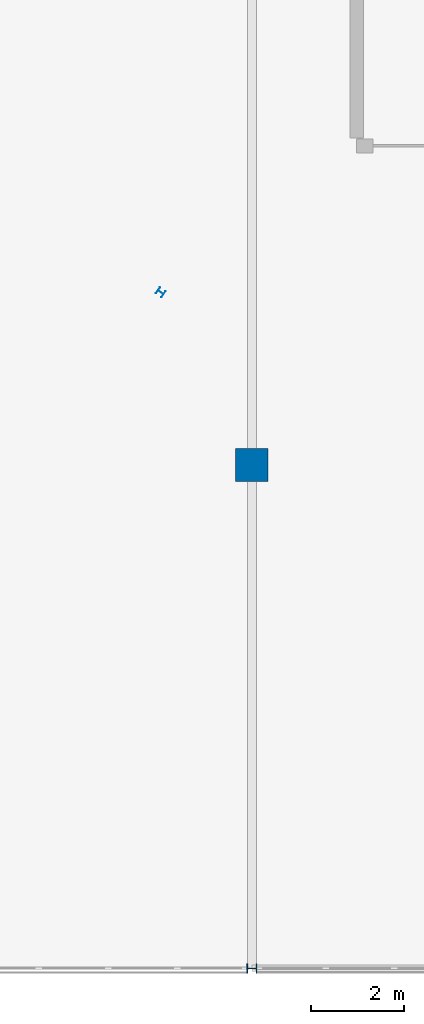
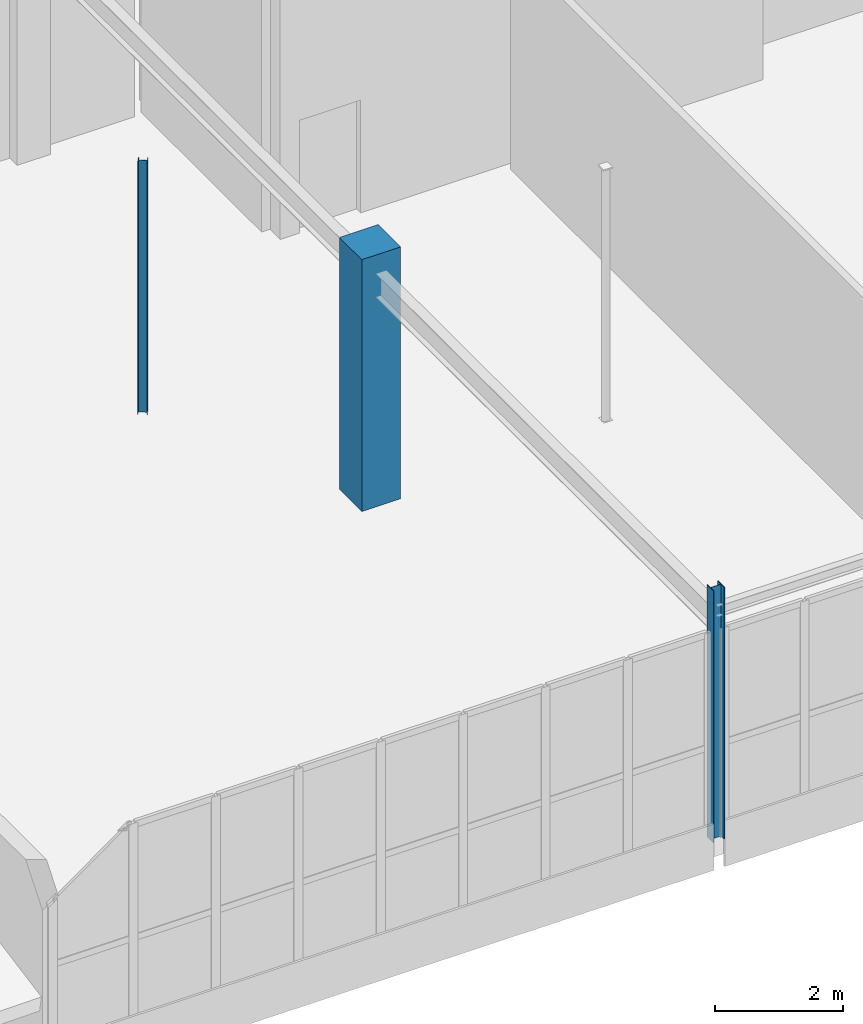
# One storey, part 1 of 226: 3 columns.
"""IFC4 building model written with IfcOpenShell, lengths in metres."""

from ifc_helpers import new_model, si_unit, direction, frame, origin, origin_2d, place, context, subcontext, project, spatial, rectangle, i_section, extrude, material, material_profile, profile_set, type_object, element, save


model = new_model("IFC4")

# Units and contexts
model_context = context("Model", 3, precision=1e-05, world=origin(), true_north=direction((0.0, 1.0)))
body_context = subcontext(model_context, "Body", "Model", "MODEL_VIEW")
ifc_project = project(units=[si_unit("LENGTHUNIT", "METRE"), si_unit("AREAUNIT", "SQUARE_METRE"), si_unit("VOLUMEUNIT", "CUBIC_METRE"), si_unit("PLANEANGLEUNIT", "RADIAN"), si_unit("MASSUNIT", "GRAM", prefix="KILO")], contexts=[model_context])

# Site, building, storey
site_placement = place(None, origin())
site = spatial("IfcSite", under=ifc_project, at=site_placement, CompositionType="ELEMENT")
building_placement = place(site_placement, origin())
building = spatial("IfcBuilding", under=site, at=building_placement, Name="Tarnwether General Hospital", CompositionType="ELEMENT")
storey_placement = place(building_placement, frame((0.0, 0.0, 4.800048828125)))
storey = spatial("IfcBuildingStorey", under=building, at=storey_placement, Name="L01", CompositionType="ELEMENT", Elevation=4.800048828125)

# Columns
ifc_material_1 = material(Name="Concrete 50 MPa", Category="concrete")
ifc_material_profile_1 = material_profile(ifc_material_1, rectangle(XDim=0.699951171875, YDim=0.699951171875, at=origin_2d()), Name="RC-COL-700x700")
ifc_profile_set_1 = profile_set([ifc_material_profile_1], Name="Concrete 50 MPa")
column_type_1 = type_object("IfcColumnType", Name="COL-18", PredefinedType="COLUMN", material=ifc_profile_set_1)
column_1_placement = place(storey_placement, frame((60.0, 10.800048828125, 0.0), z_axis=(0.0, 0.0, 1.0), x_axis=(0.0, 1.0, 0.0)))
element("IfcColumn", 1, at=column_1_placement, inside=storey, type_object=column_type_1, Name="Column COLG-L01-6000_1080", PredefinedType="COLUMN", context=body_context, shape_type="SweptSolid", body=[
    extrude(rectangle(XDim=0.699951171875, YDim=0.699951171875, at=origin_2d()), origin(), (0.0, 0.0, 1.0), 4.800048828125),
])
ifc_material_2 = material(Name="Steel Grade 350 (350 MPa)", Category="steel")
ifc_material_profile_2 = material_profile(ifc_material_2, i_section(OverallWidth=0.205078125, OverallDepth=0.2099609375, WebThickness=0.00927734375, FlangeThickness=0.01416015625, at=origin_2d()), Name="200UC59.5")
ifc_profile_set_2 = profile_set([ifc_material_profile_2], Name="Steel Grade 350 (350 MPa)")
column_type_2 = type_object("IfcColumnType", Name="COL-25", PredefinedType="COLUMN", material=ifc_profile_set_2)
column_2_placement = place(storey_placement, frame((60.0, 0.0, 0.0), z_axis=(0.0, 0.0, 1.0), x_axis=(0.0, 1.0, 0.0)))
element("IfcColumn", 2, at=column_2_placement, inside=storey, type_object=column_type_2, Name="Column COLG-L01-6000_0", PredefinedType="COLUMN", context=body_context, shape_type="SweptSolid", body=[
    extrude(i_section(OverallWidth=0.205078125, OverallDepth=0.2099609375, WebThickness=0.00927734375, FlangeThickness=0.01416015625, at=origin_2d()), origin(), (0.0, 0.0, 1.0), 4.800048828125),
])
ifc_material_3 = material(Name="Steel Grade 350 (350 MPa)", Category="steel")
ifc_material_profile_3 = material_profile(ifc_material_3, i_section(OverallWidth=0.152099609375, OverallDepth=0.152099609375, WebThickness=0.006103515625, FlangeThickness=0.0068359375, at=origin_2d()), Name="150UC23.4")
ifc_profile_set_3 = profile_set([ifc_material_profile_3], Name="Steel Grade 350 (350 MPa)")
column_type_3 = type_object("IfcColumnType", Name="COL-32", PredefinedType="COLUMN", material=ifc_profile_set_3)
column_3_placement = place(storey_placement, frame((58.0439453125, 14.506103515625, 0.0), z_axis=(0.0, 0.0, 1.0), x_axis=(0.573576436351, 0.819152044289, 0.0)))
element("IfcColumn", 3, at=column_3_placement, inside=storey, type_object=column_type_3, Name="Column COLG-L01-5804_1451", PredefinedType="COLUMN", context=body_context, shape_type="SweptSolid", body=[
    extrude(i_section(OverallWidth=0.152099609375, OverallDepth=0.152099609375, WebThickness=0.006103515625, FlangeThickness=0.0068359375, at=origin_2d()), origin(), (0.0, 0.0, 1.0), 4.800048828125),
])

save(model, "model.ifc")
